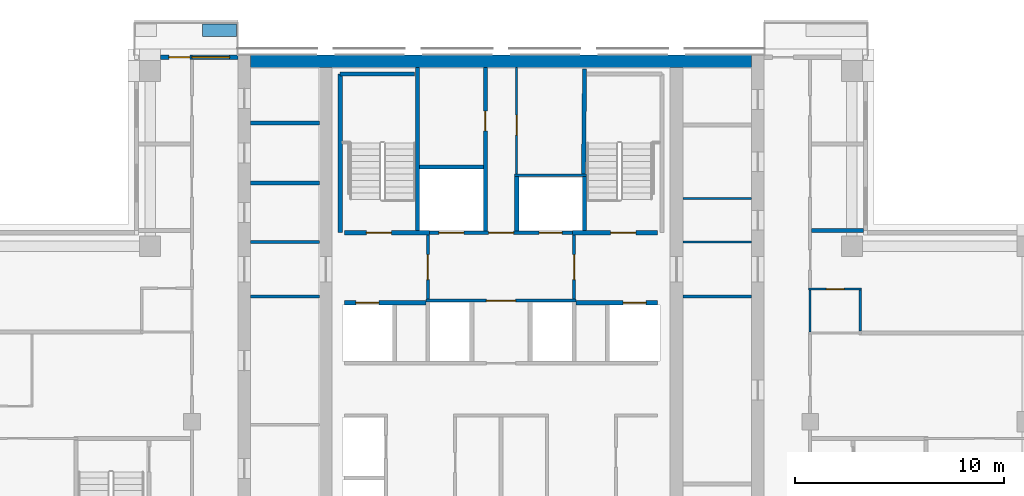
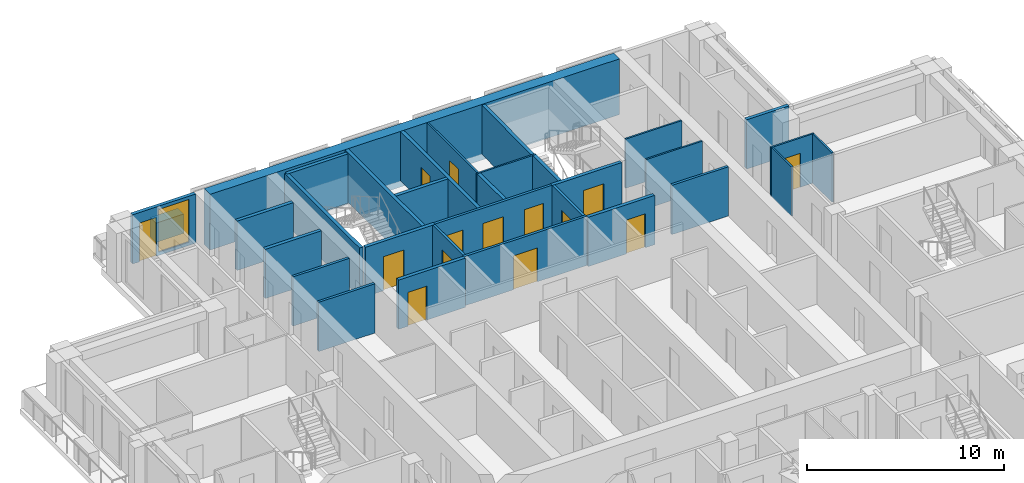
# One storey, part 12 of 16: 32 walls, 14 doors, 1 window, 15 openings.
"""IFC4 building model written with IfcOpenShell, lengths in metres."""

from ifc_helpers import new_model, si_unit, direction, frame, frame_2d, origin, place, context, subcontext, project, spatial, rectangle, extrude, material, layer, layer_set, type_object, element, fill, save


model = new_model("IFC4")

# Units and contexts
model_context = context("Model", 3, precision=1e-05, world=origin(), true_north=direction((0.0, 1.0)))
body_context = subcontext(model_context, "Body", "Model", "MODEL_VIEW")
ifc_project = project(units=[si_unit("LENGTHUNIT", "METRE"), si_unit("AREAUNIT", "SQUARE_METRE"), si_unit("VOLUMEUNIT", "CUBIC_METRE"), si_unit("PLANEANGLEUNIT", "RADIAN"), si_unit("MASSUNIT", "GRAM", prefix="KILO")], contexts=[model_context])

# Site, building, storey
site_placement = place(None, origin())
site = spatial("IfcSite", under=ifc_project, at=site_placement, CompositionType="ELEMENT")
building_placement = place(site_placement, origin())
building = spatial("IfcBuilding", under=site, at=building_placement, Name="Vermilion Ogive Tower", CompositionType="ELEMENT")
storey_placement = place(building_placement, frame((0.0, 0.0, 182.449951171875)))
storey = spatial("IfcBuildingStorey", under=building, at=storey_placement, Name="L47", CompositionType="ELEMENT", Elevation=182.449951171875)

# Wall
ifc_material_1 = material(Name="Concrete B60", Category="concrete")
ifc_layer_1 = layer(ifc_material_1, 0.60009765625)
ifc_layer_set_1 = layer_set([ifc_layer_1], Name="Core wall 600 B60")
wall_type_1 = type_object("IfcWallType", Name="Core wall 600 B60", PredefinedType="SHEAR", material=ifc_layer_set_1)
wall_1_placement = place(storey_placement, frame((-12.0, 21.449951171875, -0.39990234375), z_axis=(0.0, 0.0, 1.0), x_axis=(1.0, 0.0, 0.0)))
element("IfcWall", 1, at=wall_1_placement, inside=storey, type_object=wall_type_1, Name="L47-CORE-N", PredefinedType="SHEAR", context=body_context, shape_type="SweptSolid", body=[
    extrude(rectangle(XDim=24.0, YDim=0.60009765625, at=frame_2d((12.0, 0.0))), origin(), (0.0, 0.0, 1.0), 3.449951171875),
])

# Wall, opening, door
ifc_material_2 = material(Name="Gypsum board partition on steel studs", Category="steel")
ifc_layer_2 = layer(ifc_material_2, 0.10009765625)
ifc_layer_set_2 = layer_set([ifc_layer_2], Name="Partition 100 bath")
wall_type_2 = type_object("IfcWallType", Name="Partition 100 bath", PredefinedType="PARTITIONING", material=ifc_layer_set_2)
wall_2_placement = place(storey_placement, frame((14.72509765625, 10.550048828125, 0.0), z_axis=(0.0, 0.0, 1.0), x_axis=(1.0, 0.0, 0.0)))
wall_2 = element("IfcWall", 2, at=wall_2_placement, inside=storey, type_object=wall_type_2, Name="L47-W-W036", PredefinedType="PARTITIONING", context=body_context, shape_type="SweptSolid", body=[
    extrude(rectangle(XDim=2.52490234375, YDim=0.10009765625, at=frame_2d((1.262451171875, 0.0))), origin(), (0.0, 0.0, 1.0), 3.050048828125),
])
opening_1_placement = place(wall_2_placement, frame((0.849853515625, 0.0, 0.0)))
opening_1 = element("IfcOpeningElement", 3, at=opening_1_placement, cuts=wall_2, Name="Opening D4G1024", PredefinedType="OPENING", context=body_context, shape_type="SweptSolid", body=[
    extrude(rectangle(XDim=0.85009765625, YDim=2.10009765625, at=frame_2d((0.425048828125, 1.050048828125))), frame((0.0, 0.06005859375, 0.0), z_axis=(0.0, -1.0, 0.0), x_axis=(1.0, 0.0, 0.0)), (0.0, 0.0, 1.0), 0.1201171875),
])
ifc_material_3 = material(Name="Timber door leaf", Category="wood")
door_type_1 = type_object("IfcDoorType", Name="Bath door 850 x 2100 FD30", OperationType="SINGLE_SWING_LEFT", PredefinedType="DOOR", material=ifc_material_3)
door_1_placement = place(opening_1_placement, origin())
door_1 = element("IfcDoor", 4, at=door_1_placement, inside=storey, type_object=door_type_1, Name="L47-D-D024", OperationType="SINGLE_SWING_RIGHT", OverallHeight=2.10009765625, OverallWidth=0.85009765625, PredefinedType="DOOR", context=body_context, shape_type="SweptSolid", body=[
    extrude(rectangle(XDim=0.85009765625, YDim=2.10009765625, at=frame_2d((0.425048828125, 1.050048828125))), frame((0.0, 0.02490234375, 0.0), z_axis=(0.0, -1.0, 0.0), x_axis=(1.0, 0.0, 0.0)), (0.0, 0.0, 1.0), 0.050048828125),
])
fill(opening_1, door_1)

# Walls
wall_3_placement = place(storey_placement, frame((14.800048828125, 8.5, 0.0), z_axis=(0.0, 0.0, 1.0), x_axis=(0.0, 1.0, 0.0)))
element("IfcWall", 5, at=wall_3_placement, inside=storey, type_object=wall_type_2, Name="L47-W-W073", PredefinedType="PARTITIONING", context=body_context, shape_type="SweptSolid", body=[
    extrude(rectangle(XDim=2.0, YDim=0.10009765625, at=frame_2d((1.0, 0.0))), origin(), (0.0, 0.0, 1.0), 3.050048828125),
])
wall_4_placement = place(storey_placement, frame((17.199951171875, 8.550048828125, 0.0), z_axis=(0.0, 0.0, 1.0), x_axis=(0.0, 1.0, 0.0)))
element("IfcWall", 6, at=wall_4_placement, inside=storey, type_object=wall_type_2, Name="L47-W-W076", PredefinedType="PARTITIONING", context=body_context, shape_type="SweptSolid", body=[
    extrude(rectangle(XDim=1.949951171875, YDim=0.10009765625, at=frame_2d((0.97509765625, 0.0))), origin(), (0.0, 0.0, 1.0), 3.050048828125),
])
wall_5_placement = place(storey_placement, frame((0.64990234375, 16.0, 0.0), z_axis=(0.0, 0.0, 1.0), x_axis=(1.0, 0.0, 0.0)))
element("IfcWall", 7, at=wall_5_placement, inside=storey, type_object=wall_type_2, Name="L47-CK-W-W018", PredefinedType="PARTITIONING", context=body_context, shape_type="SweptSolid", body=[
    extrude(rectangle(XDim=3.4501953125, YDim=0.10009765625, at=frame_2d((1.72509765625, 0.0))), origin(), (0.0, 0.0, 1.0), 3.050048828125),
])

# Wall, opening, door
wall_6_placement = place(storey_placement, frame((0.75, 16.050048828125, 0.0), z_axis=(0.0, 0.0, 1.0), x_axis=(0.0, 1.0, 0.0)))
wall_6 = element("IfcWall", 8, at=wall_6_placement, inside=storey, type_object=wall_type_2, Name="L47-CK-W-W030", PredefinedType="PARTITIONING", context=body_context, shape_type="SweptSolid", body=[
    extrude(rectangle(XDim=5.098876953125, YDim=0.10009765625, at=frame_2d((2.54931640625, 0.0))), origin(), (0.0, 0.0, 1.0), 3.050048828125),
])
opening_2_placement = place(wall_6_placement, frame((1.875, 0.0, 0.0)))
opening_2 = element("IfcOpeningElement", 9, at=opening_2_placement, cuts=wall_6, Name="Opening DAA407", PredefinedType="OPENING", context=body_context, shape_type="SweptSolid", body=[
    extrude(rectangle(XDim=0.949951171875, YDim=2.10009765625, at=frame_2d((0.47509765625, 1.050048828125))), frame((0.0, 0.06005859375, 0.0), z_axis=(0.0, -1.0, 0.0), x_axis=(1.0, 0.0, 0.0)), (0.0, 0.0, 1.0), 0.1201171875),
])
ifc_material_4 = material(Name="Timber door leaf", Category="wood")
door_type_2 = type_object("IfcDoorType", Name="Service door 950 x 2100 FD60", OperationType="SINGLE_SWING_LEFT", PredefinedType="DOOR", material=ifc_material_4)
door_2_placement = place(opening_2_placement, origin())
door_2 = element("IfcDoor", 10, at=door_2_placement, inside=storey, type_object=door_type_2, Name="L47-CK-D-D022", OperationType="SINGLE_SWING_LEFT", OverallHeight=2.10009765625, OverallWidth=0.949951171875, PredefinedType="DOOR", context=body_context, shape_type="SweptSolid", body=[
    extrude(rectangle(XDim=0.949951171875, YDim=2.10009765625, at=frame_2d((0.47509765625, 1.050048828125))), frame((0.0, 0.02490234375, 0.0), z_axis=(0.0, -1.0, 0.0), x_axis=(1.0, 0.0, 0.0)), (0.0, 0.0, 1.0), 0.050048828125),
])
fill(opening_2, door_2)

# Walls
for number, where, z_axis, x_axis, name in (
    (11, (8.700927734375, 12.800048828125, 0.0), (0.0, 0.0, 1.0), (1.0, 0.0, 0.0), "L47-CKE-W-W003"),
    (12, (8.700927734375, 14.89111328125, 0.0), (0.0, 0.0, 1.0), (1.0, 0.0, 0.0), "L47-CKE-W-W004"),
):
    element("IfcWall", number, at=place(storey_placement, frame(where, z_axis=z_axis, x_axis=x_axis)), inside=storey, type_object=wall_type_2, Name=name, PredefinedType="PARTITIONING", context=body_context, shape_type="SweptSolid", body=[
        extrude(rectangle(XDim=3.298095703125, YDim=0.10009765625, at=frame_2d((1.64892578125, 0.0))), origin(), (0.0, 0.0, 1.0), 3.050048828125),
    ])

# Wall, opening, door
ifc_material_5 = material(Name="Gypsum board partition on steel studs", Category="steel")
ifc_layer_3 = layer(ifc_material_5, 0.14990234375)
ifc_layer_set_3 = layer_set([ifc_layer_3], Name="Partition 150 corridor")
wall_type_3 = type_object("IfcWallType", Name="Partition 150 corridor", PredefinedType="PARTITIONING", material=ifc_layer_set_3)
wall_7_placement = place(storey_placement, frame((-3.60009765625, 10.0, 0.0), z_axis=(0.0, 0.0, 1.0), x_axis=(1.0, 0.0, 0.0)))
wall_7 = element("IfcWall", 13, at=wall_7_placement, inside=storey, type_object=wall_type_3, Name="L47-CK-W-W014", PredefinedType="PARTITIONING", context=body_context, shape_type="SweptSolid", body=[
    extrude(rectangle(XDim=7.2001953125, YDim=0.14990234375, at=frame_2d((3.60009765625, 0.0))), origin(), (0.0, 0.0, 1.0), 3.050048828125),
])
opening_3_placement = place(wall_7_placement, frame((2.900146484375, 0.0, 0.0)))
opening_3 = element("IfcOpeningElement", 14, at=opening_3_placement, cuts=wall_7, Name="Opening DAA398", PredefinedType="OPENING", context=body_context, shape_type="SweptSolid", body=[
    extrude(rectangle(XDim=1.39990234375, YDim=2.10009765625, at=frame_2d((0.699951171875, 1.050048828125))), frame((0.0, 0.0849609375, 0.0), z_axis=(0.0, -1.0, 0.0), x_axis=(1.0, 0.0, 0.0)), (0.0, 0.0, 1.0), 0.169921875),
])
ifc_material_6 = material(Name="Timber door leaf", Category="wood")
door_type_3 = type_object("IfcDoorType", Name="Lobby door 1400 x 2100 FD60S", OperationType="SINGLE_SWING_LEFT", PredefinedType="DOOR", material=ifc_material_6)
door_3_placement = place(opening_3_placement, origin())
door_3 = element("IfcDoor", 15, at=door_3_placement, inside=storey, type_object=door_type_3, Name="L47-CK-D-D017", OperationType="SINGLE_SWING_RIGHT", OverallHeight=2.10009765625, OverallWidth=1.39990234375, PredefinedType="DOOR", context=body_context, shape_type="SweptSolid", body=[
    extrude(rectangle(XDim=1.39990234375, YDim=2.10009765625, at=frame_2d((0.699951171875, 1.050048828125))), frame((0.0, 0.02490234375, 0.0), z_axis=(0.0, -1.0, 0.0), x_axis=(1.0, 0.0, 0.0)), (0.0, 0.0, 1.0), 0.050048828125),
])
fill(opening_3, door_3)

# Wall, openings, doors
wall_8_placement = place(storey_placement, frame((-3.574951171875, 13.25, 0.0), z_axis=(0.0, 0.0, 1.0), x_axis=(1.0, 0.0, 0.0)))
wall_8 = element("IfcWall", 16, at=wall_8_placement, inside=storey, type_object=wall_type_3, Name="L47-CK-W-W016", PredefinedType="PARTITIONING", context=body_context, shape_type="SweptSolid", body=[
    extrude(rectangle(XDim=7.14990234375, YDim=0.14990234375, at=frame_2d((3.574951171875, 0.0))), origin(), (0.0, 0.0, 1.0), 3.050048828125),
])
opening_4_placement = place(wall_8_placement, frame((0.599853515625, 0.0, 0.0)))
opening_4 = element("IfcOpeningElement", 17, at=opening_4_placement, cuts=wall_8, Name="Opening DAA418", PredefinedType="OPENING", context=body_context, shape_type="SweptSolid", body=[
    extrude(rectangle(XDim=1.199951171875, YDim=2.10009765625, at=frame_2d((0.60009765625, 1.050048828125))), frame((0.0, 0.0849609375, 0.0), z_axis=(0.0, -1.0, 0.0), x_axis=(1.0, 0.0, 0.0)), (0.0, 0.0, 1.0), 0.169921875),
])
opening_5_placement = place(wall_8_placement, frame((5.39990234375, 0.0, 0.0)))
opening_5 = element("IfcOpeningElement", 18, at=opening_5_placement, cuts=wall_8, Name="Opening DAA417", PredefinedType="OPENING", context=body_context, shape_type="SweptSolid", body=[
    extrude(rectangle(XDim=1.10009765625, YDim=2.10009765625, at=frame_2d((0.550048828125, 1.050048828125))), frame((0.0, 0.0849609375, 0.0), z_axis=(0.0, -1.0, 0.0), x_axis=(1.0, 0.0, 0.0)), (0.0, 0.0, 1.0), 0.169921875),
])
opening_6_placement = place(wall_8_placement, frame((2.974853515625, 0.0, 0.0)))
opening_6 = element("IfcOpeningElement", 19, at=opening_6_placement, cuts=wall_8, Name="Opening DAA399", PredefinedType="OPENING", context=body_context, shape_type="SweptSolid", body=[
    extrude(rectangle(XDim=1.199951171875, YDim=2.10009765625, at=frame_2d((0.60009765625, 1.050048828125))), frame((0.0, 0.0849609375, 0.0), z_axis=(0.0, -1.0, 0.0), x_axis=(1.0, 0.0, 0.0)), (0.0, 0.0, 1.0), 0.169921875),
])
ifc_material_7 = material(Name="Stainless steel", Category="steel")
door_type_4 = type_object("IfcDoorType", Name="Lift landing door 1100 x 2100", OperationType="SLIDING_TO_LEFT", PredefinedType="DOOR", material=ifc_material_7)
door_4_placement = place(opening_5_placement, origin())
door_4 = element("IfcDoor", 20, at=door_4_placement, inside=storey, type_object=door_type_4, Name="L47-CK-D-D019", OperationType="SLIDING_TO_LEFT", OverallHeight=2.10009765625, OverallWidth=1.10009765625, PredefinedType="DOOR", context=body_context, shape_type="SweptSolid", body=[
    extrude(rectangle(XDim=1.10009765625, YDim=2.10009765625, at=frame_2d((0.550048828125, 1.050048828125))), frame((0.0, 0.02490234375, 0.0), z_axis=(0.0, -1.0, 0.0), x_axis=(1.0, 0.0, 0.0)), (0.0, 0.0, 1.0), 0.050048828125),
])
fill(opening_5, door_4)
ifc_material_8 = material(Name="Stainless steel", Category="steel")
door_type_5 = type_object("IfcDoorType", Name="Lift landing door 1200 x 2100", OperationType="SLIDING_TO_LEFT", PredefinedType="DOOR", material=ifc_material_8)
door_5_placement = place(opening_4_placement, origin())
door_5 = element("IfcDoor", 21, at=door_5_placement, inside=storey, type_object=door_type_5, Name="L47-CK-D-D018", OperationType="SLIDING_TO_RIGHT", OverallHeight=2.10009765625, OverallWidth=1.199951171875, PredefinedType="DOOR", context=body_context, shape_type="SweptSolid", body=[
    extrude(rectangle(XDim=1.199951171875, YDim=2.10009765625, at=frame_2d((0.60009765625, 1.050048828125))), frame((0.0, 0.02490234375, 0.0), z_axis=(0.0, -1.0, 0.0), x_axis=(1.0, 0.0, 0.0)), (0.0, 0.0, 1.0), 0.050048828125),
])
fill(opening_4, door_5)
ifc_material_9 = material(Name="Timber door leaf", Category="wood")
door_type_6 = type_object("IfcDoorType", Name="Service door 1200 x 2100 FD60", OperationType="SINGLE_SWING_LEFT", PredefinedType="DOOR", material=ifc_material_9)
door_6_placement = place(opening_6_placement, origin())
door_6 = element("IfcDoor", 22, at=door_6_placement, inside=storey, type_object=door_type_6, Name="L47-CK-D-D020", OperationType="SINGLE_SWING_RIGHT", OverallHeight=2.10009765625, OverallWidth=1.199951171875, PredefinedType="DOOR", context=body_context, shape_type="SweptSolid", body=[
    extrude(rectangle(XDim=1.199951171875, YDim=2.10009765625, at=frame_2d((0.60009765625, 1.050048828125))), frame((0.0, 0.02490234375, 0.0), z_axis=(0.0, -1.0, 0.0), x_axis=(1.0, 0.0, 0.0)), (0.0, 0.0, 1.0), 0.050048828125),
])
fill(opening_6, door_6)

# Wall, opening, door
wall_9_placement = place(storey_placement, frame((-3.5, 10.074951171875, 0.0), z_axis=(0.0, 0.0, 1.0), x_axis=(0.0, 1.0, 0.0)))
wall_9 = element("IfcWall", 23, at=wall_9_placement, inside=storey, type_object=wall_type_3, Name="L47-CK-W-W024", PredefinedType="PARTITIONING", context=body_context, shape_type="SweptSolid", body=[
    extrude(rectangle(XDim=3.074951171875, YDim=0.14990234375, at=frame_2d((1.53759765625, 0.0))), origin(), (0.0, 0.0, 1.0), 3.050048828125),
])
opening_7_placement = place(wall_9_placement, frame((0.925048828125, 0.0, 0.0)))
opening_7 = element("IfcOpeningElement", 24, at=opening_7_placement, cuts=wall_9, Name="Opening DAA395", PredefinedType="OPENING", context=body_context, shape_type="SweptSolid", body=[
    extrude(rectangle(XDim=1.199951171875, YDim=2.10009765625, at=frame_2d((0.60009765625, 1.050048828125))), frame((0.0, 0.0849609375, 0.0), z_axis=(0.0, -1.0, 0.0), x_axis=(1.0, 0.0, 0.0)), (0.0, 0.0, 1.0), 0.169921875),
])
ifc_material_10 = material(Name="Timber door leaf", Category="wood")
door_type_7 = type_object("IfcDoorType", Name="Lobby door 1200 x 2100 FD60S", OperationType="SINGLE_SWING_LEFT", PredefinedType="DOOR", material=ifc_material_10)
door_7_placement = place(opening_7_placement, origin())
door_7 = element("IfcDoor", 25, at=door_7_placement, inside=storey, type_object=door_type_7, Name="L47-CK-D-D023", OperationType="SINGLE_SWING_RIGHT", OverallHeight=2.10009765625, OverallWidth=1.199951171875, PredefinedType="DOOR", context=body_context, shape_type="SweptSolid", body=[
    extrude(rectangle(XDim=1.199951171875, YDim=2.10009765625, at=frame_2d((0.60009765625, 1.050048828125))), frame((0.0, 0.02490234375, 0.0), z_axis=(0.0, -1.0, 0.0), x_axis=(1.0, 0.0, 0.0)), (0.0, 0.0, 1.0), 0.050048828125),
])
fill(opening_7, door_7)

wall_10_placement = place(storey_placement, frame((3.5, 10.074951171875, 0.0), z_axis=(0.0, 0.0, 1.0), x_axis=(0.0, 1.0, 0.0)))
wall_10 = element("IfcWall", 26, at=wall_10_placement, inside=storey, type_object=wall_type_3, Name="L47-CK-W-W034", PredefinedType="PARTITIONING", context=body_context, shape_type="SweptSolid", body=[
    extrude(rectangle(XDim=3.074951171875, YDim=0.14990234375, at=frame_2d((1.53759765625, 0.0))), origin(), (0.0, 0.0, 1.0), 3.050048828125),
])
opening_8_placement = place(wall_10_placement, frame((0.925048828125, 0.0, 0.0)))
opening_8 = element("IfcOpeningElement", 27, at=opening_8_placement, cuts=wall_10, Name="Opening DAA396", PredefinedType="OPENING", context=body_context, shape_type="SweptSolid", body=[
    extrude(rectangle(XDim=1.199951171875, YDim=2.10009765625, at=frame_2d((0.60009765625, 1.050048828125))), frame((0.0, 0.0849609375, 0.0), z_axis=(0.0, -1.0, 0.0), x_axis=(1.0, 0.0, 0.0)), (0.0, 0.0, 1.0), 0.169921875),
])
door_8_placement = place(opening_8_placement, origin())
door_8 = element("IfcDoor", 28, at=door_8_placement, inside=storey, type_object=door_type_7, Name="L47-CK-D-D024", OperationType="SINGLE_SWING_LEFT", OverallHeight=2.10009765625, OverallWidth=1.199951171875, PredefinedType="DOOR", context=body_context, shape_type="SweptSolid", body=[
    extrude(rectangle(XDim=1.199951171875, YDim=2.10009765625, at=frame_2d((0.60009765625, 1.050048828125))), frame((0.0, 0.02490234375, 0.0), z_axis=(0.0, -1.0, 0.0), x_axis=(1.0, 0.0, 0.0)), (0.0, 0.0, 1.0), 0.050048828125),
])
fill(opening_8, door_8)

# Walls
for number, where, z_axis, x_axis, name in (
    (29, (-11.9990234375, 10.199951171875, 0.0), (0.0, 0.0, 1.0), (1.0, 0.0, 0.0), "L47-CKW-W-W003"),
    (30, (-11.9990234375, 12.800048828125, 0.0), (0.0, 0.0, 1.0), (1.0, 0.0, 0.0), "L47-CKW-W-W004"),
    (31, (8.700927734375, 10.199951171875, 0.0), (0.0, 0.0, 1.0), (1.0, 0.0, 0.0), "L47-CKE-W-W002"),
):
    element("IfcWall", number, at=place(storey_placement, frame(where, z_axis=z_axis, x_axis=x_axis)), inside=storey, type_object=wall_type_3, Name=name, PredefinedType="PARTITIONING", context=body_context, shape_type="SweptSolid", body=[
        extrude(rectangle(XDim=3.298095703125, YDim=0.14990234375, at=frame_2d((1.64892578125, 0.0))), origin(), (0.0, 0.0, 1.0), 3.050048828125),
    ])
ifc_material_11 = material(Name="Gypsum board partition on steel studs", Category="steel")
ifc_layer_4 = layer(ifc_material_11, 0.199951171875)
ifc_layer_set_4 = layer_set([ifc_layer_4], Name="Partition 200 party")
wall_type_4 = type_object("IfcWallType", Name="Partition 200 party", PredefinedType="PARTITIONING", material=ifc_layer_set_4)
wall_11_placement = place(storey_placement, frame((14.875, 13.35009765625, 0.0), z_axis=(0.0, 0.0, 1.0), x_axis=(1.0, 0.0, 0.0)))
element("IfcWall", 32, at=wall_11_placement, inside=storey, type_object=wall_type_4, Name="L47-W-W039", PredefinedType="PARTITIONING", context=body_context, shape_type="SweptSolid", body=[
    extrude(rectangle(XDim=2.47509765625, YDim=0.199951171875, at=frame_2d((1.237548828125, 0.0))), origin(), (0.0, 0.0, 1.0), 3.050048828125),
])

# Wall, opening, door
wall_12_placement = place(storey_placement, frame((-7.5, 9.89990234375, 0.0), z_axis=(0.0, 0.0, 1.0), x_axis=(1.0, 0.0, 0.0)))
wall_12 = element("IfcWall", 33, at=wall_12_placement, inside=storey, type_object=wall_type_4, Name="L47-CK-W-W012", PredefinedType="PARTITIONING", context=body_context, shape_type="SweptSolid", body=[
    extrude(rectangle(XDim=3.89990234375, YDim=0.199951171875, at=frame_2d((1.949951171875, 0.0))), origin(), (0.0, 0.0, 1.0), 3.050048828125),
])
opening_9_placement = place(wall_12_placement, frame((0.550048828125, 0.0, 0.0)))
opening_9 = element("IfcOpeningElement", 34, at=opening_9_placement, cuts=wall_12, Name="Opening DAA415", PredefinedType="OPENING", context=body_context, shape_type="SweptSolid", body=[
    extrude(rectangle(XDim=1.10009765625, YDim=2.10009765625, at=frame_2d((0.550048828125, 1.050048828125))), frame((0.0, 0.10986328125, 0.0), z_axis=(0.0, -1.0, 0.0), x_axis=(1.0, 0.0, 0.0)), (0.0, 0.0, 1.0), 0.219970703125),
])
door_9_placement = place(opening_9_placement, origin())
door_9 = element("IfcDoor", 35, at=door_9_placement, inside=storey, type_object=door_type_4, Name="L47-CK-D-D013", OperationType="SLIDING_TO_RIGHT", OverallHeight=2.10009765625, OverallWidth=1.10009765625, PredefinedType="DOOR", context=body_context, shape_type="SweptSolid", body=[
    extrude(rectangle(XDim=1.10009765625, YDim=2.10009765625, at=frame_2d((0.550048828125, 1.050048828125))), frame((0.0, 0.02490234375, 0.0), z_axis=(0.0, -1.0, 0.0), x_axis=(1.0, 0.0, 0.0)), (0.0, 0.0, 1.0), 0.050048828125),
])
fill(opening_9, door_9)

wall_13_placement = place(storey_placement, frame((3.60009765625, 9.89990234375, 0.0), z_axis=(0.0, 0.0, 1.0), x_axis=(1.0, 0.0, 0.0)))
wall_13 = element("IfcWall", 36, at=wall_13_placement, inside=storey, type_object=wall_type_4, Name="L47-CK-W-W013", PredefinedType="PARTITIONING", context=body_context, shape_type="SweptSolid", body=[
    extrude(rectangle(XDim=3.89990234375, YDim=0.199951171875, at=frame_2d((1.949951171875, 0.0))), origin(), (0.0, 0.0, 1.0), 3.050048828125),
])
opening_10_placement = place(wall_13_placement, frame((2.25, 0.0, 0.0)))
opening_10 = element("IfcOpeningElement", 37, at=opening_10_placement, cuts=wall_13, Name="Opening DAA416", PredefinedType="OPENING", context=body_context, shape_type="SweptSolid", body=[
    extrude(rectangle(XDim=1.10009765625, YDim=2.10009765625, at=frame_2d((0.550048828125, 1.050048828125))), frame((0.0, 0.10986328125, 0.0), z_axis=(0.0, -1.0, 0.0), x_axis=(1.0, 0.0, 0.0)), (0.0, 0.0, 1.0), 0.219970703125),
])
door_10_placement = place(opening_10_placement, origin())
door_10 = element("IfcDoor", 38, at=door_10_placement, inside=storey, type_object=door_type_4, Name="L47-CK-D-D015", OperationType="SLIDING_TO_LEFT", OverallHeight=2.10009765625, OverallWidth=1.10009765625, PredefinedType="DOOR", context=body_context, shape_type="SweptSolid", body=[
    extrude(rectangle(XDim=1.10009765625, YDim=2.10009765625, at=frame_2d((0.550048828125, 1.050048828125))), frame((0.0, 0.02490234375, 0.0), z_axis=(0.0, -1.0, 0.0), x_axis=(1.0, 0.0, 0.0)), (0.0, 0.0, 1.0), 0.050048828125),
])
fill(opening_10, door_10)

# Wall
wall_14_placement = place(storey_placement, frame((-3.89990234375, 16.39990234375, 0.0), z_axis=(0.0, 0.0, 1.0), x_axis=(1.0, 0.0, 0.0)))
element("IfcWall", 39, at=wall_14_placement, inside=storey, type_object=wall_type_4, Name="L47-CK-W-W019", PredefinedType="PARTITIONING", context=body_context, shape_type="SweptSolid", body=[
    extrude(rectangle(XDim=3.0498046875, YDim=0.199951171875, at=frame_2d((1.52490234375, 0.0))), origin(), (0.0, 0.0, 1.0), 3.050048828125),
])

# Wall, opening, door
wall_15_placement = place(storey_placement, frame((-0.75, 13.324951171875, 0.0), z_axis=(0.0, 0.0, 1.0), x_axis=(0.0, 1.0, 0.0)))
wall_15 = element("IfcWall", 40, at=wall_15_placement, inside=storey, type_object=wall_type_4, Name="L47-CK-W-W027", PredefinedType="PARTITIONING", context=body_context, shape_type="SweptSolid", body=[
    extrude(rectangle(XDim=7.823974609375, YDim=0.199951171875, at=frame_2d((3.912109375, 0.0))), origin(), (0.0, 0.0, 1.0), 3.050048828125),
])
opening_11_placement = place(wall_15_placement, frame((4.800048828125, 0.0, 0.0)))
opening_11 = element("IfcOpeningElement", 41, at=opening_11_placement, cuts=wall_15, Name="Opening DAA406", PredefinedType="OPENING", context=body_context, shape_type="SweptSolid", body=[
    extrude(rectangle(XDim=0.949951171875, YDim=2.10009765625, at=frame_2d((0.47509765625, 1.050048828125))), frame((0.0, 0.10986328125, 0.0), z_axis=(0.0, -1.0, 0.0), x_axis=(1.0, 0.0, 0.0)), (0.0, 0.0, 1.0), 0.219970703125),
])
door_11_placement = place(opening_11_placement, origin())
door_11 = element("IfcDoor", 42, at=door_11_placement, inside=storey, type_object=door_type_2, Name="L47-CK-D-D021", OperationType="SINGLE_SWING_RIGHT", OverallHeight=2.10009765625, OverallWidth=0.949951171875, PredefinedType="DOOR", context=body_context, shape_type="SweptSolid", body=[
    extrude(rectangle(XDim=0.949951171875, YDim=2.10009765625, at=frame_2d((0.47509765625, 1.050048828125))), frame((0.0, 0.02490234375, 0.0), z_axis=(0.0, -1.0, 0.0), x_axis=(1.0, 0.0, 0.0)), (0.0, 0.0, 1.0), 0.050048828125),
])
fill(opening_11, door_11)

# Walls
wall_16_placement = place(storey_placement, frame((0.75, 13.324951171875, 0.0), z_axis=(0.0, 0.0, 1.0), x_axis=(0.0, 1.0, 0.0)))
element("IfcWall", 43, at=wall_16_placement, inside=storey, type_object=wall_type_4, Name="L47-CK-W-W029", PredefinedType="PARTITIONING", context=body_context, shape_type="SweptSolid", body=[
    extrude(rectangle(XDim=2.625, YDim=0.199951171875, at=frame_2d((1.3125, 0.0))), origin(), (0.0, 0.0, 1.0), 3.050048828125),
])
for number, where, z_axis, x_axis, name in (
    (44, (-11.9990234375, 15.636962890625, 0.0), (0.0, 0.0, 1.0), (1.0, 0.0, 0.0), "L47-CKW-W-W005"),
    (45, (-11.9990234375, 18.509033203125, 0.0), (0.0, 0.0, 1.0), (1.0, 0.0, 0.0), "L47-CKW-W-W006"),
):
    element("IfcWall", number, at=place(storey_placement, frame(where, z_axis=z_axis, x_axis=x_axis)), inside=storey, type_object=wall_type_4, Name=name, PredefinedType="PARTITIONING", context=body_context, shape_type="SweptSolid", body=[
        extrude(rectangle(XDim=3.298095703125, YDim=0.199951171875, at=frame_2d((1.64892578125, 0.0))), origin(), (0.0, 0.0, 1.0), 3.050048828125),
    ])

# Wall, opening, door
ifc_material_12 = material(Name="Concrete B60", Category="concrete")
ifc_layer_5 = layer(ifc_material_12, 0.199951171875)
ifc_layer_set_5 = layer_set([ifc_layer_5], Name="Stair shaft wall 200 Concrete B60")
wall_type_5 = type_object("IfcWallType", Name="Stair shaft wall 200 Concrete B60", PredefinedType="SOLIDWALL", material=ifc_layer_set_5)
wall_17_placement = place(storey_placement, frame((-7.5, 13.25, 0.0), z_axis=(0.0, 0.0, 1.0), x_axis=(1.0, 0.0, 0.0)))
wall_17 = element("IfcWall", 46, at=wall_17_placement, inside=storey, type_object=wall_type_5, Name="L47-CK-W-W015", PredefinedType="SOLIDWALL", context=body_context, shape_type="SweptSolid", body=[
    extrude(rectangle(XDim=4.074951171875, YDim=0.199951171875, at=frame_2d((2.03759765625, 0.0))), origin(), (0.0, 0.0, 1.0), 3.050048828125),
])
opening_12_placement = place(wall_17_placement, frame((1.050048828125, 0.0, 0.0)))
opening_12 = element("IfcOpeningElement", 47, at=opening_12_placement, cuts=wall_17, Name="Opening DAA408", PredefinedType="OPENING", context=body_context, shape_type="SweptSolid", body=[
    extrude(rectangle(XDim=1.199951171875, YDim=2.10009765625, at=frame_2d((0.60009765625, 1.050048828125))), frame((0.0, 0.10986328125, 0.0), z_axis=(0.0, -1.0, 0.0), x_axis=(1.0, 0.0, 0.0)), (0.0, 0.0, 1.0), 0.219970703125),
])
ifc_material_13 = material(Name="Timber door leaf", Category="wood")
door_type_8 = type_object("IfcDoorType", Name="Stair door 1200 x 2100 FD60S", OperationType="SINGLE_SWING_LEFT", PredefinedType="DOOR", material=ifc_material_13)
door_12_placement = place(opening_12_placement, origin())
door_12 = element("IfcDoor", 48, at=door_12_placement, inside=storey, type_object=door_type_8, Name="L47-CK-D-D012", OperationType="SINGLE_SWING_LEFT", OverallHeight=2.10009765625, OverallWidth=1.199951171875, PredefinedType="DOOR", context=body_context, shape_type="SweptSolid", body=[
    extrude(rectangle(XDim=1.199951171875, YDim=2.10009765625, at=frame_2d((0.60009765625, 1.050048828125))), frame((0.0, 0.02490234375, 0.0), z_axis=(0.0, -1.0, 0.0), x_axis=(1.0, 0.0, 0.0)), (0.0, 0.0, 1.0), 0.050048828125),
])
fill(opening_12, door_12)

wall_18_placement = place(storey_placement, frame((3.425048828125, 13.25, 0.0), z_axis=(0.0, 0.0, 1.0), x_axis=(1.0, 0.0, 0.0)))
wall_18 = element("IfcWall", 49, at=wall_18_placement, inside=storey, type_object=wall_type_5, Name="L47-CK-W-W017", PredefinedType="SOLIDWALL", context=body_context, shape_type="SweptSolid", body=[
    extrude(rectangle(XDim=4.074951171875, YDim=0.199951171875, at=frame_2d((2.03759765625, 0.0))), origin(), (0.0, 0.0, 1.0), 3.050048828125),
])
opening_13_placement = place(wall_18_placement, frame((1.824951171875, 0.0, 0.0)))
opening_13 = element("IfcOpeningElement", 50, at=opening_13_placement, cuts=wall_18, Name="Opening DAA409", PredefinedType="OPENING", context=body_context, shape_type="SweptSolid", body=[
    extrude(rectangle(XDim=1.199951171875, YDim=2.10009765625, at=frame_2d((0.60009765625, 1.050048828125))), frame((0.0, 0.10986328125, 0.0), z_axis=(0.0, -1.0, 0.0), x_axis=(1.0, 0.0, 0.0)), (0.0, 0.0, 1.0), 0.219970703125),
])
door_13_placement = place(opening_13_placement, origin())
door_13 = element("IfcDoor", 51, at=door_13_placement, inside=storey, type_object=door_type_8, Name="L47-CK-D-D014", OperationType="SINGLE_SWING_RIGHT", OverallHeight=2.10009765625, OverallWidth=1.199951171875, PredefinedType="DOOR", context=body_context, shape_type="SweptSolid", body=[
    extrude(rectangle(XDim=1.199951171875, YDim=2.10009765625, at=frame_2d((0.60009765625, 1.050048828125))), frame((0.0, 0.02490234375, 0.0), z_axis=(0.0, -1.0, 0.0), x_axis=(1.0, 0.0, 0.0)), (0.0, 0.0, 1.0), 0.050048828125),
])
fill(opening_13, door_13)

# Walls
wall_19_placement = place(storey_placement, frame((-4.0, 13.35009765625, 0.0), z_axis=(0.0, 0.0, 1.0), x_axis=(0.0, 1.0, 0.0)))
element("IfcWall", 52, at=wall_19_placement, inside=storey, type_object=wall_type_5, Name="L47-CK-W-W022", PredefinedType="SOLIDWALL", context=body_context, shape_type="SweptSolid", body=[
    extrude(rectangle(XDim=7.798828125, YDim=0.199951171875, at=frame_2d((3.8994140625, 0.0))), origin(), (0.0, 0.0, 1.0), 3.050048828125),
])
wall_20_placement = place(storey_placement, frame((4.0, 13.35009765625, 0.0), z_axis=(0.0, 0.0, 1.0), x_axis=(0.0, 1.0, 0.0)))
element("IfcWall", 53, at=wall_20_placement, inside=storey, type_object=wall_type_5, Name="L47-CK-W-W035", PredefinedType="SOLIDWALL", context=body_context, shape_type="SweptSolid", body=[
    extrude(rectangle(XDim=2.599853515625, YDim=0.199951171875, at=frame_2d((1.2998046875, 0.0))), origin(), (0.0, 0.0, 1.0), 3.050048828125),
])
wall_21_placement = place(storey_placement, frame((3.949951171875, 16.050048828125, 0.0), z_axis=(0.0, 0.0, 1.0), x_axis=(0.009911993103, 0.99995087499, 0.0)))
element("IfcWall", 54, at=wall_21_placement, inside=storey, type_object=wall_type_5, Name="L47-CK-W-W036", PredefinedType="SOLIDWALL", context=body_context, shape_type="SweptSolid", body=[
    extrude(rectangle(XDim=5.04931640625, YDim=0.199951171875, at=frame_2d((2.524658203125, 0.0))), origin(), (0.0, 0.0, 1.0), 3.050048828125),
])
wall_22_placement = place(storey_placement, frame((-7.699951171875, 13.25, 0.0), z_axis=(0.0, 0.0, 1.0), x_axis=(0.0, 1.0, 0.0)))
element("IfcWall", 55, at=wall_22_placement, inside=storey, type_object=wall_type_5, Name="L47-SW-R017-W1", PredefinedType="SOLIDWALL", context=body_context, shape_type="SweptSolid", body=[
    extrude(rectangle(XDim=7.60009765625, YDim=0.199951171875, at=frame_2d((3.800048828125, 0.0))), origin(), (0.0, 0.0, 1.0), 3.050048828125),
])
wall_23_placement = place(storey_placement, frame((-7.699951171875, 20.85009765625, 0.0), z_axis=(0.0, 0.0, 1.0), x_axis=(1.0, 0.0, 0.0)))
element("IfcWall", 56, at=wall_23_placement, inside=storey, type_object=wall_type_5, Name="L47-SW-R017-N1", PredefinedType="SOLIDWALL", context=body_context, shape_type="SweptSolid", body=[
    extrude(rectangle(XDim=3.550048828125, YDim=0.199951171875, at=frame_2d((1.77490234375, 0.0))), origin(), (0.0, 0.0, 1.0), 3.050048828125),
])
ifc_material_14 = material(Name="Concrete B40", Category="concrete")
ifc_layer_6 = layer(ifc_material_14, 0.60009765625)
ifc_layer_set_6 = layer_set([ifc_layer_6], Name="Structural planter")
wall_type_6 = type_object("IfcWallType", Name="Structural planter", PredefinedType="USERDEFINED", material=ifc_layer_set_6)
wall_24_placement = place(storey_placement, frame((-12.659912109375, 22.9541015625, -0.0400390625), z_axis=(0.0, 0.0, 1.0), x_axis=(-1.0, 0.0, 0.0)))
element("IfcWall", 57, at=wall_24_placement, inside=storey, type_object=wall_type_6, Name="Planter N201A1", ObjectType="PLANTER", PredefinedType="USERDEFINED", context=body_context, shape_type="SweptSolid", body=[
    extrude(rectangle(XDim=1.64013671875, YDim=0.60009765625, at=frame_2d((0.820068359375, 0.0))), origin(), (0.0, 0.0, 1.0), 1.2001953125),
])

# Wall, openings, door, window
ifc_material_15 = material(Name="Aluminium window wall framing", Category="aluminium")
ifc_layer_7 = layer(ifc_material_15, 0.199951171875)
ifc_layer_set_7 = layer_set([ifc_layer_7], Name="Window wall")
wall_type_7 = type_object("IfcWallType", Name="Window wall", PredefinedType="STANDARD", material=ifc_layer_set_7)
wall_25_placement = place(storey_placement, frame((-12.60009765625, 21.64990234375, 0.0), z_axis=(0.0, 0.0, 1.0), x_axis=(-1.0, 0.0, 0.0)))
wall_25 = element("IfcWall", 58, at=wall_25_placement, inside=storey, type_object=wall_type_7, Name="Window wall N21", PredefinedType="STANDARD", context=body_context, shape_type="SweptSolid", body=[
    extrude(rectangle(XDim=3.699951171875, YDim=0.199951171875, at=frame_2d((1.85009765625, 0.0))), origin(), (0.0, 0.0, 1.0), 3.050048828125),
])
opening_14_placement = place(wall_25_placement, frame((0.39990234375, 0.0, 0.199951171875)))
opening_14 = element("IfcOpeningElement", 59, at=opening_14_placement, cuts=wall_25, Name="Opening W1-N296", PredefinedType="OPENING", context=body_context, shape_type="SweptSolid", body=[
    extrude(rectangle(XDim=1.800048828125, YDim=2.64990234375, at=frame_2d((0.89990234375, 1.324951171875))), frame((0.0, 0.10986328125, 0.0), z_axis=(0.0, -1.0, 0.0), x_axis=(1.0, 0.0, 0.0)), (0.0, 0.0, 1.0), 0.219970703125),
])
opening_15_placement = place(wall_25_placement, frame((2.300048828125, 0.0, 0.0)))
opening_15 = element("IfcOpeningElement", 60, at=opening_15_placement, cuts=wall_25, Name="Opening D1-N296", PredefinedType="OPENING", context=body_context, shape_type="SweptSolid", body=[
    extrude(rectangle(XDim=1.0, YDim=2.39990234375, at=frame_2d((0.5, 1.199951171875))), frame((0.0, 0.10986328125, 0.0), z_axis=(0.0, -1.0, 0.0), x_axis=(1.0, 0.0, 0.0)), (0.0, 0.0, 1.0), 0.219970703125),
])
ifc_material_16 = material(Name="Aluminium framed glazed door", Category="aluminium")
door_type_9 = type_object("IfcDoorType", Name="Balcony door D1", OperationType="SINGLE_SWING_LEFT", PredefinedType="DOOR", material=ifc_material_16)
door_14_placement = place(opening_15_placement, origin())
door_14 = element("IfcDoor", 61, at=door_14_placement, inside=storey, type_object=door_type_9, Name="Balcony door N296", OperationType="SINGLE_SWING_LEFT", OverallHeight=2.39990234375, OverallWidth=1.0, PredefinedType="DOOR", context=body_context, shape_type="SweptSolid", body=[
    extrude(rectangle(XDim=1.0, YDim=2.39990234375, at=frame_2d((0.5, 1.199951171875))), frame((0.0, 0.02490234375, 0.0), z_axis=(0.0, -1.0, 0.0), x_axis=(1.0, 0.0, 0.0)), (0.0, 0.0, 1.0), 0.050048828125),
])
fill(opening_15, door_14)
ifc_material_17 = material(Name="Aluminium framed double glazing", Category="aluminium")
window_type = type_object("IfcWindowType", Name="Guest window W1", PartitioningType="SINGLE_PANEL", PredefinedType="WINDOW", material=ifc_material_17)
window_placement = place(opening_14_placement, origin())
window = element("IfcWindow", 62, at=window_placement, inside=storey, type_object=window_type, Name="Window N296", OverallHeight=2.64990234375, OverallWidth=1.800048828125, PartitioningType="SINGLE_PANEL", PredefinedType="WINDOW", context=body_context, shape_type="SweptSolid", body=[
    extrude(rectangle(XDim=1.800048828125, YDim=2.64990234375, at=frame_2d((0.89990234375, 1.324951171875))), frame((0.0, 0.030029296875, 0.0), z_axis=(0.0, -1.0, 0.0), x_axis=(1.0, 0.0, 0.0)), (0.0, 0.0, 1.0), 0.06005859375),
])
fill(opening_14, window)

save(model, "model.ifc")
